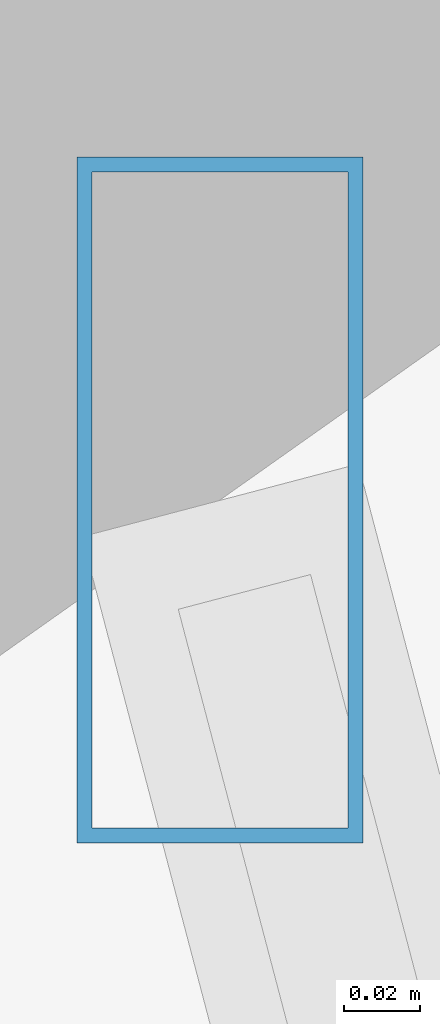
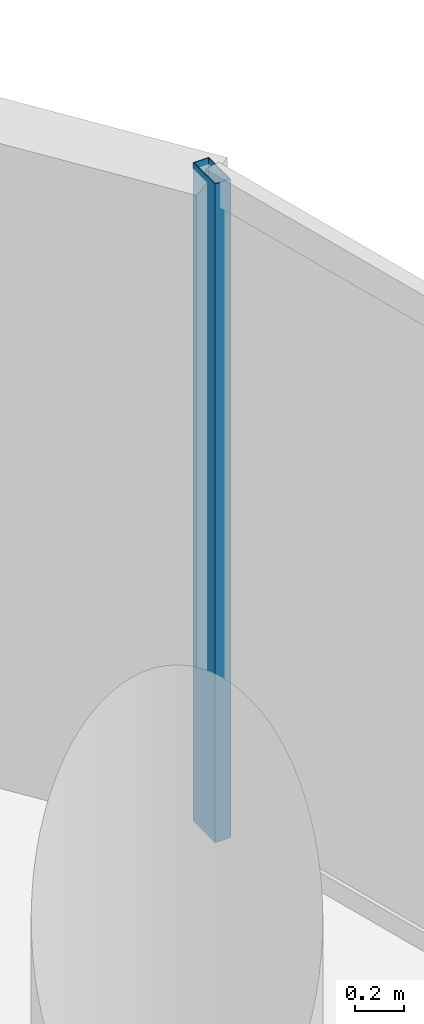
# One storey, part 18 of 35: 1 member, 1 element without a shape of its own.
"""IFC4 building model written with IfcOpenShell, lengths in metres."""

from ifc_helpers import new_model, si_unit, direction, frame, origin, origin_2d, place, context, subcontext, project, spatial, hollow_rectangle, extrude, material, material_profile, profile_set, type_object, element, aggregate, save


model = new_model("IFC4")

# Units and contexts
model_context = context("Model", 3, precision=1e-05, world=origin(), true_north=direction((0.0, 1.0)))
body_context = subcontext(model_context, "Body", "Model", "MODEL_VIEW")
ifc_project = project(units=[si_unit("LENGTHUNIT", "METRE"), si_unit("AREAUNIT", "SQUARE_METRE"), si_unit("VOLUMEUNIT", "CUBIC_METRE"), si_unit("PLANEANGLEUNIT", "RADIAN"), si_unit("MASSUNIT", "GRAM", prefix="KILO")], contexts=[model_context])

# Site, building, storey
site_placement = place(None, origin())
site = spatial("IfcSite", under=ifc_project, at=site_placement, CompositionType="ELEMENT")
building_placement = place(site_placement, origin())
building = spatial("IfcBuilding", under=site, at=building_placement, Name="Vorneva Point Tower", CompositionType="ELEMENT")
storey_placement = place(building_placement, frame((0.0, 0.0, 48.5)))
storey = spatial("IfcBuildingStorey", under=building, at=storey_placement, Name="L12", CompositionType="ELEMENT", Elevation=48.5)

# Curtain wall, member
ifc_material = material(Name="Pale anodised aluminium", Category="aluminium")
curtain_wall_type = type_object("IfcCurtainWallType", Name="CW-HTL-SYS", PredefinedType="NOTDEFINED", material=ifc_material)
curtain_wall_placement = place(storey_placement, origin())
curtain_wall = element("IfcCurtainWall", 1, at=curtain_wall_placement, inside=storey, type_object=curtain_wall_type, Name="L12 Unitised Curtain Wall CW-L12-R01", PredefinedType="NOTDEFINED")
ifc_material_profile = material_profile(ifc_material, hollow_rectangle(XDim=0.074951171875, YDim=0.179931640625, WallThickness=0.00390625, at=origin_2d()), Name="AL-MUL 180x75x4")
ifc_profile_set = profile_set([ifc_material_profile], Name="Pale anodised aluminium")
member_type = type_object("IfcMemberType", Name="CW-MUL-180", PredefinedType="MULLION", material=ifc_profile_set)
member_placement = place(storey_placement, frame((65.300537109375, 34.552978515625, -0.0400390625), z_axis=(0.0, 0.0, 1.0), x_axis=(1.0, 0.0, 0.0)))
member = element("IfcMember", 2, at=member_placement, type_object=member_type, Name="CW-L12-R01 Mullion 05", PredefinedType="MULLION", context=body_context, shape_type="SweptSolid", body=[
    extrude(hollow_rectangle(XDim=0.074951171875, YDim=0.179931640625, WallThickness=0.00390625, at=origin_2d()), origin(), (0.0, 0.0, 1.0), 3.31005859375),
])
aggregate(curtain_wall, [member])

save(model, "model.ifc")
